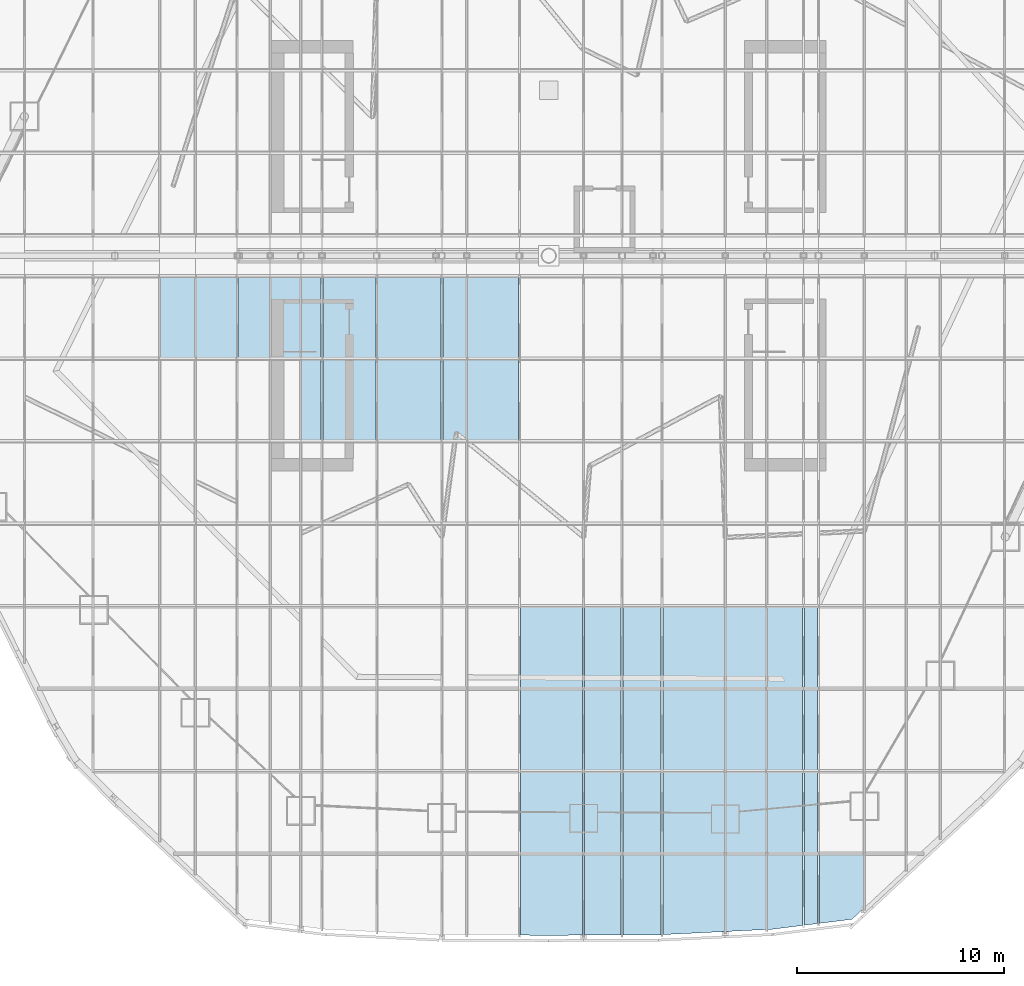
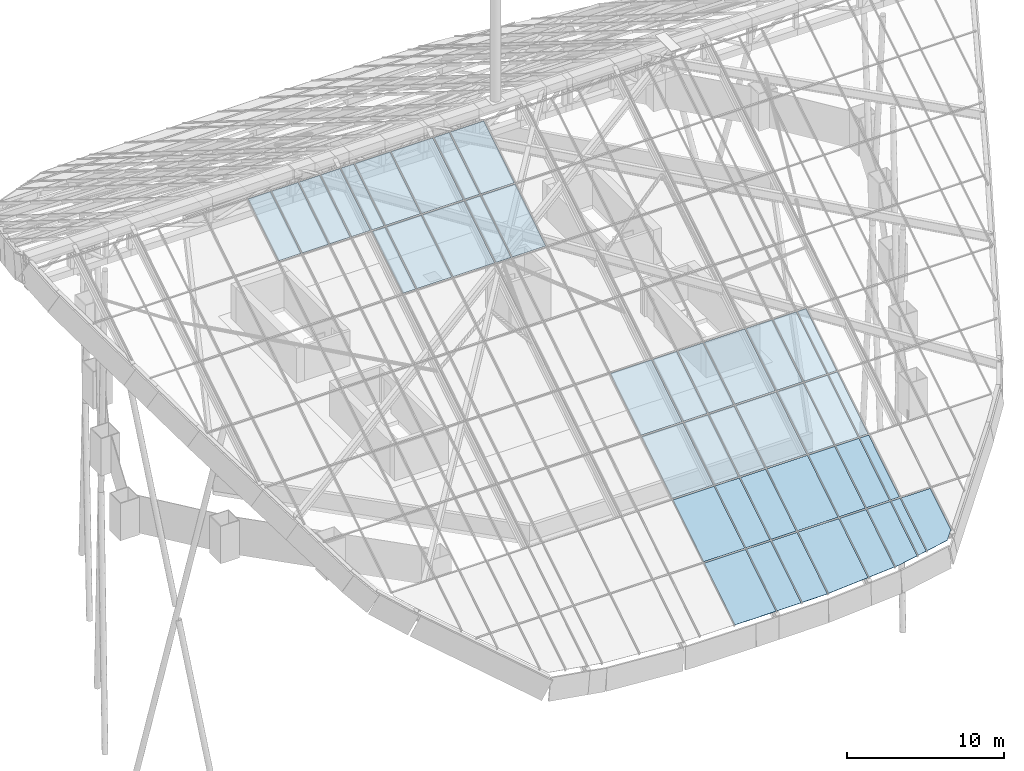
# One storey, part 28 of 38: 43 plates, 43 elements without a shape of their own.
"""IFC4 building model written with IfcOpenShell, lengths in metres."""

from ifc_helpers import new_model, si_unit, direction, frame, origin, place, context, subcontext, project, spatial, polyline, outline, extrude, material, layer, layer_set, type_object, element, aggregate, save


model = new_model("IFC4")

# Units and contexts
model_context = context("Model", 3, precision=1e-05, world=origin(), true_north=direction((0.0, 1.0)))
body_context = subcontext(model_context, "Body", "Model", "MODEL_VIEW")
ifc_project = project(units=[si_unit("LENGTHUNIT", "METRE"), si_unit("AREAUNIT", "SQUARE_METRE"), si_unit("VOLUMEUNIT", "CUBIC_METRE"), si_unit("PLANEANGLEUNIT", "RADIAN"), si_unit("MASSUNIT", "GRAM", prefix="KILO")], contexts=[model_context])

# Site, building, storey
site_placement = place(None, origin())
site = spatial("IfcSite", under=ifc_project, at=site_placement, CompositionType="ELEMENT")
building_placement = place(site_placement, origin())
building = spatial("IfcBuilding", under=site, at=building_placement, Name="Dongbaek Canopy Tower", CompositionType="ELEMENT")
storey_placement = place(building_placement, frame((0.0, 0.0, 375.800048828125)))
storey = spatial("IfcBuildingStorey", under=building, at=storey_placement, Name="Roof", CompositionType="ELEMENT", Elevation=375.800048828125)

# Curtain wall, plate
ifc_material_1 = material(Name="Aluminium 6063-T6 pale anodised", Category="aluminium")
ifc_layer_1 = layer(ifc_material_1, 0.199951171875)
ifc_layer_set_1 = layer_set([ifc_layer_1], Name="CW-6 canopy glazing curtain wall")
curtain_wall_type = type_object("IfcCurtainWallType", Name="CW-6 canopy glazing curtain wall", PredefinedType="NOTDEFINED", material=ifc_layer_set_1)
curtain_wall_1_placement = place(storey_placement, origin())
curtain_wall_1 = element("IfcCurtainWall", 1, at=curtain_wall_1_placement, inside=storey, type_object=curtain_wall_type, Name="CW-6 canopy glazing south 7.1", PredefinedType="NOTDEFINED")
ifc_material_2 = material(Name="Clear laminated glass", Category="glass")
ifc_layer_2 = layer(ifc_material_2, 0.0400390625)
ifc_layer_set_2 = layer_set([ifc_layer_2], Name="CW-6 glazed panel 40")
plate_type = type_object("IfcPlateType", Name="CW-6 glazed panel 40", PredefinedType="CURTAIN_PANEL", material=ifc_layer_set_2)
plate_1_placement = place(storey_placement, frame((-18.762939453125, -1.04296875, 18.095458984375), z_axis=(0.0, -0.52990827259, 0.848054964398), x_axis=(1.0, 0.0, 0.0)))
plate_1 = element("IfcPlate", 2, at=plate_1_placement, type_object=plate_type, Name="CW-6 panel S7.1", PredefinedType="CURTAIN_PANEL", context=body_context, shape_type="SweptSolid", body=[
    extrude(outline(polyline([(0.0, 0.0), (1.635986328125, 0.0), (1.635986328125, -4.59893125811938), (0.0, -4.59893125811938), (0.0, 0.0)])), origin(), (0.0, 0.0, -1.0), 0.0400390625),
])
aggregate(curtain_wall_1, [plate_1])

curtain_wall_2_placement = place(storey_placement, origin())
curtain_wall_2 = element("IfcCurtainWall", 3, at=curtain_wall_2_placement, inside=storey, type_object=curtain_wall_type, Name="CW-6 canopy glazing south 8.1", PredefinedType="NOTDEFINED")
plate_2_placement = place(storey_placement, frame((-17.041015625, -1.04296875, 18.095458984375), z_axis=(0.0, -0.52990827259, 0.848054964398), x_axis=(1.0, 0.0, 0.0)))
plate_2 = element("IfcPlate", 4, at=plate_2_placement, type_object=plate_type, Name="CW-6 panel S8.1", PredefinedType="CURTAIN_PANEL", context=body_context, shape_type="SweptSolid", body=[
    extrude(outline(polyline([(0.0, 0.0), (1.93603515625, 0.0), (1.93603515625, -4.59893125811938), (0.0, -4.59893125811938), (0.0, 0.0)])), origin(), (0.0, 0.0, -1.0), 0.0400390625),
])
aggregate(curtain_wall_2, [plate_2])

curtain_wall_3_placement = place(storey_placement, origin())
curtain_wall_3 = element("IfcCurtainWall", 5, at=curtain_wall_3_placement, inside=storey, type_object=curtain_wall_type, Name="CW-6 canopy glazing south 9.1", PredefinedType="NOTDEFINED")
plate_3_placement = place(storey_placement, frame((-15.01904296875, -1.04296875, 18.095458984375), z_axis=(0.0, -0.52990827259, 0.848054964398), x_axis=(1.0, 0.0, 0.0)))
plate_3 = element("IfcPlate", 6, at=plate_3_placement, type_object=plate_type, Name="CW-6 panel S9.1", PredefinedType="CURTAIN_PANEL", context=body_context, shape_type="SweptSolid", body=[
    extrude(outline(polyline([(0.0, 0.0), (1.51123046875, 0.0), (1.51123046875, -4.59893125811938), (0.0, -4.59893125811938), (0.0, 0.0)])), origin(), (0.0, 0.0, -1.0), 0.0400390625),
])
aggregate(curtain_wall_3, [plate_3])

curtain_wall_4_placement = place(storey_placement, origin())
curtain_wall_4 = element("IfcCurtainWall", 7, at=curtain_wall_4_placement, inside=storey, type_object=curtain_wall_type, Name="CW-6 canopy glazing south 10.1", PredefinedType="NOTDEFINED")
plate_4_placement = place(storey_placement, frame((-13.421630859375, -1.04296875, 18.095458984375), z_axis=(0.0, -0.52990827259, 0.848054964398), x_axis=(1.0, 0.0, 0.0)))
plate_4 = element("IfcPlate", 8, at=plate_4_placement, type_object=plate_type, Name="CW-6 panel S10.1", PredefinedType="CURTAIN_PANEL", context=body_context, shape_type="SweptSolid", body=[
    extrude(outline(polyline([(0.0, 0.0), (1.3935546875, 0.0), (1.3935546875, -4.59893125811938), (0.0, -4.59893125811938), (0.0, 0.0)])), origin(), (0.0, 0.0, -1.0), 0.0400390625),
])
aggregate(curtain_wall_4, [plate_4])

curtain_wall_5_placement = place(storey_placement, origin())
curtain_wall_5 = element("IfcCurtainWall", 9, at=curtain_wall_5_placement, inside=storey, type_object=curtain_wall_type, Name="CW-6 canopy glazing south 11.1", PredefinedType="NOTDEFINED")
plate_5_placement = place(storey_placement, frame((-11.94189453125, -1.04296875, 18.095458984375), z_axis=(0.0, -0.52990827259, 0.848054964398), x_axis=(1.0, 0.0, 0.0)))
plate_5 = element("IfcPlate", 10, at=plate_5_placement, type_object=plate_type, Name="CW-6 panel S11.1", PredefinedType="CURTAIN_PANEL", context=body_context, shape_type="SweptSolid", body=[
    extrude(outline(polyline([(0.0, 0.0), (0.93408203125, 0.0), (0.93408203125, -4.5989312581193795), (0.0, -4.5989312581193795), (0.0, 0.0)])), origin(), (0.0, 0.0, -1.0), 0.0400390625),
])
aggregate(curtain_wall_5, [plate_5])

curtain_wall_6_placement = place(storey_placement, origin())
curtain_wall_6 = element("IfcCurtainWall", 11, at=curtain_wall_6_placement, inside=storey, type_object=curtain_wall_type, Name="CW-6 canopy glazing south 11.2", PredefinedType="NOTDEFINED")
plate_6_placement = place(storey_placement, frame((-11.94189453125, -5.029296875, 15.6044921875), z_axis=(0.0, -0.52990827259, 0.848054964398), x_axis=(1.0, 0.0, 0.0)))
plate_6 = element("IfcPlate", 12, at=plate_6_placement, type_object=plate_type, Name="CW-6 panel S11.2", PredefinedType="CURTAIN_PANEL", context=body_context, shape_type="SweptSolid", body=[
    extrude(outline(polyline([(0.0, 0.0), (0.93408203125, 0.0), (0.93408203125, -4.5989312581193795), (0.0, -4.5989312581193795), (0.0, 0.0)])), origin(), (0.0, 0.0, -1.0), 0.0400390625),
])
aggregate(curtain_wall_6, [plate_6])

curtain_wall_7_placement = place(storey_placement, origin())
curtain_wall_7 = element("IfcCurtainWall", 13, at=curtain_wall_7_placement, inside=storey, type_object=curtain_wall_type, Name="CW-6 canopy glazing south 12.1", PredefinedType="NOTDEFINED")
plate_7_placement = place(storey_placement, frame((-10.921630859375, -1.04296875, 18.095458984375), z_axis=(0.0, -0.52990827259, 0.848054964398), x_axis=(1.0, 0.0, 0.0)))
plate_7 = element("IfcPlate", 14, at=plate_7_placement, type_object=plate_type, Name="CW-6 panel S12.1", PredefinedType="CURTAIN_PANEL", context=body_context, shape_type="SweptSolid", body=[
    extrude(outline(polyline([(0.0, 0.0), (2.569580078125, 0.0), (2.569580078125, -4.5989312581193795), (0.0, -4.5989312581193795), (0.0, 0.0)])), origin(), (0.0, 0.0, -1.0), 0.0400390625),
])
aggregate(curtain_wall_7, [plate_7])

curtain_wall_8_placement = place(storey_placement, origin())
curtain_wall_8 = element("IfcCurtainWall", 15, at=curtain_wall_8_placement, inside=storey, type_object=curtain_wall_type, Name="CW-6 canopy glazing south 12.2", PredefinedType="NOTDEFINED")
plate_8_placement = place(storey_placement, frame((-10.921630859375, -5.029296875, 15.6044921875), z_axis=(0.0, -0.52990827259, 0.848054964398), x_axis=(1.0, 0.0, 0.0)))
plate_8 = element("IfcPlate", 16, at=plate_8_placement, type_object=plate_type, Name="CW-6 panel S12.2", PredefinedType="CURTAIN_PANEL", context=body_context, shape_type="SweptSolid", body=[
    extrude(outline(polyline([(0.0, 0.0), (2.569580078125, 0.0), (2.569580078125, -4.5989312581193795), (0.0, -4.5989312581193795), (0.0, 0.0)])), origin(), (0.0, 0.0, -1.0), 0.0400390625),
])
aggregate(curtain_wall_8, [plate_8])

curtain_wall_9_placement = place(storey_placement, origin())
curtain_wall_9 = element("IfcCurtainWall", 17, at=curtain_wall_9_placement, inside=storey, type_object=curtain_wall_type, Name="CW-6 canopy glazing south 13.1", PredefinedType="NOTDEFINED")
plate_9_placement = place(storey_placement, frame((-5.208984375, -4.943115234375, 15.658447265625), z_axis=(0.0, -0.52990827259, 0.848054964398), x_axis=(-1.0, 0.0, 0.0)))
plate_9 = element("IfcPlate", 18, at=plate_9_placement, type_object=plate_type, Name="CW-6 panel S13.1", PredefinedType="CURTAIN_PANEL", context=body_context, shape_type="SweptSolid", body=[
    extrude(outline(polyline([(0.0, 0.0), (3.05712890625, 0.0), (3.05712890625, -4.59893125811938), (0.0, -4.59893125811938), (0.0, 0.0)])), origin(), (0.0, 0.0, -1.0), 0.0400390625),
])
aggregate(curtain_wall_9, [plate_9])

curtain_wall_10_placement = place(storey_placement, origin())
curtain_wall_10 = element("IfcCurtainWall", 19, at=curtain_wall_10_placement, inside=storey, type_object=curtain_wall_type, Name="CW-6 canopy glazing south 13.2", PredefinedType="NOTDEFINED")
plate_10_placement = place(storey_placement, frame((-5.208984375, -8.929443359375, 13.16748046875), z_axis=(0.0, -0.52990827259, 0.848054964398), x_axis=(-1.0, 0.0, 0.0)))
plate_10 = element("IfcPlate", 20, at=plate_10_placement, type_object=plate_type, Name="CW-6 panel S13.2", PredefinedType="CURTAIN_PANEL", context=body_context, shape_type="SweptSolid", body=[
    extrude(outline(polyline([(0.0, 0.0), (3.05712890625, 0.0), (3.05712890625, -4.59893125811938), (0.0, -4.59893125811938), (0.0, 0.0)])), origin(), (0.0, 0.0, -1.0), 0.0400390625),
])
aggregate(curtain_wall_10, [plate_10])

curtain_wall_11_placement = place(storey_placement, origin())
curtain_wall_11 = element("IfcCurtainWall", 21, at=curtain_wall_11_placement, inside=storey, type_object=curtain_wall_type, Name="CW-6 canopy glazing south 14.1", PredefinedType="NOTDEFINED")
plate_11_placement = place(storey_placement, frame((-4.0078125, -4.943115234375, 15.658447265625), z_axis=(0.0, -0.52990827259, 0.848054964398), x_axis=(-1.0, 0.0, 0.0)))
plate_11 = element("IfcPlate", 22, at=plate_11_placement, type_object=plate_type, Name="CW-6 panel S14.1", PredefinedType="CURTAIN_PANEL", context=body_context, shape_type="SweptSolid", body=[
    extrude(outline(polyline([(0.0, 0.0), (1.115234375, 0.0), (1.115234375, -4.5989312581193795), (0.0, -4.5989312581193795), (0.0, 0.0)])), origin(), (0.0, 0.0, -1.0), 0.0400390625),
])
aggregate(curtain_wall_11, [plate_11])

curtain_wall_12_placement = place(storey_placement, origin())
curtain_wall_12 = element("IfcCurtainWall", 23, at=curtain_wall_12_placement, inside=storey, type_object=curtain_wall_type, Name="CW-6 canopy glazing south 14.2", PredefinedType="NOTDEFINED")
plate_12_placement = place(storey_placement, frame((-4.0078125, -8.929443359375, 13.16748046875), z_axis=(0.0, -0.52990827259, 0.848054964398), x_axis=(-1.0, 0.0, 0.0)))
plate_12 = element("IfcPlate", 24, at=plate_12_placement, type_object=plate_type, Name="CW-6 panel S14.2", PredefinedType="CURTAIN_PANEL", context=body_context, shape_type="SweptSolid", body=[
    extrude(outline(polyline([(0.0, 0.0), (1.115234375, 0.0), (1.115234375, -4.5989312581193795), (0.0, -4.5989312581193795), (0.0, 0.0)])), origin(), (0.0, 0.0, -1.0), 0.0400390625),
])
aggregate(curtain_wall_12, [plate_12])

curtain_wall_13_placement = place(storey_placement, origin())
curtain_wall_13 = element("IfcCurtainWall", 25, at=curtain_wall_13_placement, inside=storey, type_object=curtain_wall_type, Name="CW-6 canopy glazing south 15.1", PredefinedType="NOTDEFINED")
plate_13_placement = place(storey_placement, frame((-1.4609375, -4.943115234375, 15.658447265625), z_axis=(0.0, -0.52990827259, 0.848054964398), x_axis=(-1.0, 0.0, 0.0)))
plate_13 = element("IfcPlate", 26, at=plate_13_placement, type_object=plate_type, Name="CW-6 panel S15.1", PredefinedType="CURTAIN_PANEL", context=body_context, shape_type="SweptSolid", body=[
    extrude(outline(polyline([(0.0, 0.0), (2.460693359375, 0.0), (2.460693359375, -4.59893125811938), (0.0, -4.59893125811938), (0.0, 0.0)])), origin(), (0.0, 0.0, -1.0), 0.0400390625),
])
aggregate(curtain_wall_13, [plate_13])

curtain_wall_14_placement = place(storey_placement, origin())
curtain_wall_14 = element("IfcCurtainWall", 27, at=curtain_wall_14_placement, inside=storey, type_object=curtain_wall_type, Name="CW-6 canopy glazing south 15.2", PredefinedType="NOTDEFINED")
plate_14_placement = place(storey_placement, frame((-1.4609375, -8.929443359375, 13.16748046875), z_axis=(0.0, -0.52990827259, 0.848054964398), x_axis=(-1.0, 0.0, 0.0)))
plate_14 = element("IfcPlate", 28, at=plate_14_placement, type_object=plate_type, Name="CW-6 panel S15.2", PredefinedType="CURTAIN_PANEL", context=body_context, shape_type="SweptSolid", body=[
    extrude(outline(polyline([(0.0, 0.0), (2.460693359375, 0.0), (2.460693359375, -4.59893125811938), (0.0, -4.59893125811938), (0.0, 0.0)])), origin(), (0.0, 0.0, -1.0), 0.0400390625),
])
aggregate(curtain_wall_14, [plate_14])

curtain_wall_15_placement = place(storey_placement, origin())
curtain_wall_15 = element("IfcCurtainWall", 29, at=curtain_wall_15_placement, inside=storey, type_object=curtain_wall_type, Name="CW-6 canopy glazing south 16.5", PredefinedType="NOTDEFINED")
plate_15_placement = place(storey_placement, frame((1.639892578125, -20.887939453125, 5.69482421875), z_axis=(0.0, -0.529946450558, 0.848031107649), x_axis=(-1.0, 0.0, 0.0)))
plate_15 = element("IfcPlate", 30, at=plate_15_placement, type_object=plate_type, Name="CW-6 panel S16.5", PredefinedType="CURTAIN_PANEL", context=body_context, shape_type="SweptSolid", body=[
    extrude(outline(polyline([(0.0, 0.0), (3.014892578125, 0.0), (3.014892578125, -4.599060634916705), (0.0, -4.599060634916705), (0.0, 0.0)])), origin(), (0.0, 0.0, -1.0), 0.0400390625),
])
aggregate(curtain_wall_15, [plate_15])

curtain_wall_16_placement = place(storey_placement, origin())
curtain_wall_16 = element("IfcCurtainWall", 31, at=curtain_wall_16_placement, inside=storey, type_object=curtain_wall_type, Name="CW-6 canopy glazing south 16.6", PredefinedType="NOTDEFINED")
plate_16_placement = place(storey_placement, frame((1.639892578125, -24.874267578125, 3.2041015625), z_axis=(0.0, -0.52990827259, 0.848054964398), x_axis=(-1.0, 0.0, 0.0)))
plate_16 = element("IfcPlate", 32, at=plate_16_placement, type_object=plate_type, Name="CW-6 panel S16.6", PredefinedType="CURTAIN_PANEL", context=body_context, shape_type="SweptSolid", body=[
    extrude(outline(polyline([(0.0, 0.0), (3.014892578125, 0.0), (3.014892578125, -4.59893125811938), (0.0, -4.59893125811938), (0.0, 0.0)])), origin(), (0.0, 0.0, -1.0), 0.0400390625),
])
aggregate(curtain_wall_16, [plate_16])

curtain_wall_17_placement = place(storey_placement, origin())
curtain_wall_17 = element("IfcCurtainWall", 33, at=curtain_wall_17_placement, inside=storey, type_object=curtain_wall_type, Name="CW-6 canopy glazing south 16.7", PredefinedType="NOTDEFINED")
plate_17_placement = place(storey_placement, frame((1.639892578125, -28.8603515625, 0.713134765625), z_axis=(0.0, -0.529946450558, 0.848031107649), x_axis=(-1.0, 0.0, 0.0)))
plate_17 = element("IfcPlate", 34, at=plate_17_placement, type_object=plate_type, Name="CW-6 panel S16.7", PredefinedType="CURTAIN_PANEL", context=body_context, shape_type="SweptSolid", body=[
    extrude(outline(polyline([(0.0, 0.0), (3.014892578125, 0.0), (3.014892578125, -4.599060634916705), (0.0, -4.599060634916705), (0.0, 0.0)])), origin(), (0.0, 0.0, -1.0), 0.0400390625),
])
aggregate(curtain_wall_17, [plate_17])

curtain_wall_18_placement = place(storey_placement, origin())
curtain_wall_18 = element("IfcCurtainWall", 35, at=curtain_wall_18_placement, inside=storey, type_object=curtain_wall_type, Name="CW-6 canopy glazing south 16.8", PredefinedType="NOTDEFINED")
plate_18_placement = place(storey_placement, frame((1.639892578125, -32.839599609375, -1.773193359375), z_axis=(-1.7203463e-05, -0.529914940365, 0.84805079782), x_axis=(-0.999987089654, -0.004300135945, -0.002707278302)))
plate_18 = element("IfcPlate", 36, at=plate_18_placement, type_object=plate_type, Name="CW-6 panel S16.8", PredefinedType="CURTAIN_PANEL", context=body_context, shape_type="SweptSolid", body=[
    extrude(outline(polyline([(0.0, 0.0), (1.6399137490622586, 1.3010426069826053e-18), (3.0148598370405826, -0.014103477191791648), (2.9915271682999562, -4.6058587561591295), (-0.02332648651926767, -4.59053899877738), (0.0, 0.0)])), origin(), (0.0, 0.0, -1.0), 0.0400390625),
])
aggregate(curtain_wall_18, [plate_18])

curtain_wall_19_placement = place(storey_placement, origin())
curtain_wall_19 = element("IfcCurtainWall", 37, at=curtain_wall_19_placement, inside=storey, type_object=curtain_wall_type, Name="CW-6 canopy glazing south 17.5", PredefinedType="NOTDEFINED")
plate_19_placement = place(storey_placement, frame((3.4921875, -20.887939453125, 5.69482421875), z_axis=(0.0, -0.529946450558, 0.848031107649), x_axis=(-1.0, 0.0, 0.0)))
plate_19 = element("IfcPlate", 38, at=plate_19_placement, type_object=plate_type, Name="CW-6 panel S17.5", PredefinedType="CURTAIN_PANEL", context=body_context, shape_type="SweptSolid", body=[
    extrude(outline(polyline([(0.0, 0.0), (1.76611328125, 0.0), (1.76611328125, -4.599060634916704), (0.0, -4.599060634916704), (0.0, 0.0)])), origin(), (0.0, 0.0, -1.0), 0.0400390625),
])
aggregate(curtain_wall_19, [plate_19])

curtain_wall_20_placement = place(storey_placement, origin())
curtain_wall_20 = element("IfcCurtainWall", 39, at=curtain_wall_20_placement, inside=storey, type_object=curtain_wall_type, Name="CW-6 canopy glazing south 17.6", PredefinedType="NOTDEFINED")
plate_20_placement = place(storey_placement, frame((3.4921875, -24.874267578125, 3.2041015625), z_axis=(0.0, -0.52990827259, 0.848054964398), x_axis=(-1.0, 0.0, 0.0)))
plate_20 = element("IfcPlate", 40, at=plate_20_placement, type_object=plate_type, Name="CW-6 panel S17.6", PredefinedType="CURTAIN_PANEL", context=body_context, shape_type="SweptSolid", body=[
    extrude(outline(polyline([(0.0, 0.0), (1.76611328125, 0.0), (1.76611328125, -4.59893125811938), (0.0, -4.59893125811938), (0.0, 0.0)])), origin(), (0.0, 0.0, -1.0), 0.0400390625),
])
aggregate(curtain_wall_20, [plate_20])

curtain_wall_21_placement = place(storey_placement, origin())
curtain_wall_21 = element("IfcCurtainWall", 41, at=curtain_wall_21_placement, inside=storey, type_object=curtain_wall_type, Name="CW-6 canopy glazing south 17.7", PredefinedType="NOTDEFINED")
plate_21_placement = place(storey_placement, frame((3.4921875, -28.8603515625, 0.713134765625), z_axis=(0.0, -0.529946450558, 0.848031107649), x_axis=(-1.0, 0.0, 0.0)))
plate_21 = element("IfcPlate", 42, at=plate_21_placement, type_object=plate_type, Name="CW-6 panel S17.7", PredefinedType="CURTAIN_PANEL", context=body_context, shape_type="SweptSolid", body=[
    extrude(outline(polyline([(0.0, 0.0), (1.76611328125, 0.0), (1.76611328125, -4.599060634916704), (0.0, -4.599060634916704), (0.0, 0.0)])), origin(), (0.0, 0.0, -1.0), 0.0400390625),
])
aggregate(curtain_wall_21, [plate_21])

curtain_wall_22_placement = place(storey_placement, origin())
curtain_wall_22 = element("IfcCurtainWall", 43, at=curtain_wall_22_placement, inside=storey, type_object=curtain_wall_type, Name="CW-6 canopy glazing south 17.8", PredefinedType="NOTDEFINED")
plate_22_placement = place(storey_placement, frame((3.4921875, -32.831298828125, -1.76806640625), z_axis=(-2.35521e-07, -0.529922364394, 0.848046158953), x_axis=(-0.999986394512, -0.004423620054, -0.0027644848)))
plate_22 = element("IfcPlate", 44, at=plate_22_placement, type_object=plate_type, Name="CW-6 panel S17.8", PredefinedType="CURTAIN_PANEL", context=body_context, shape_type="SweptSolid", body=[
    extrude(outline(polyline([(0.0, 0.0), (1.7661373104098188, 4.336808689942018e-19), (1.7421937654373607, -4.589992353484531), (-0.02389548697984693, -4.58077960666844), (0.0, 0.0)])), origin(), (0.0, 0.0, -1.0), 0.0400390625),
])
aggregate(curtain_wall_22, [plate_22])

curtain_wall_23_placement = place(storey_placement, origin())
curtain_wall_23 = element("IfcCurtainWall", 45, at=curtain_wall_23_placement, inside=storey, type_object=curtain_wall_type, Name="CW-6 canopy glazing south 18.5", PredefinedType="NOTDEFINED")
plate_23_placement = place(storey_placement, frame((5.427978515625, -20.887939453125, 5.69482421875), z_axis=(0.0, -0.529946450558, 0.848031107649), x_axis=(-1.0, 0.0, 0.0)))
plate_23 = element("IfcPlate", 46, at=plate_23_placement, type_object=plate_type, Name="CW-6 panel S18.5", PredefinedType="CURTAIN_PANEL", context=body_context, shape_type="SweptSolid", body=[
    extrude(outline(polyline([(0.0, 0.0), (1.849609375, 0.0), (1.849609375, -4.599060634916705), (0.0, -4.599060634916705), (0.0, 0.0)])), origin(), (0.0, 0.0, -1.0), 0.0400390625),
])
aggregate(curtain_wall_23, [plate_23])

curtain_wall_24_placement = place(storey_placement, origin())
curtain_wall_24 = element("IfcCurtainWall", 47, at=curtain_wall_24_placement, inside=storey, type_object=curtain_wall_type, Name="CW-6 canopy glazing south 18.6", PredefinedType="NOTDEFINED")
plate_24_placement = place(storey_placement, frame((5.427978515625, -24.874267578125, 3.2041015625), z_axis=(0.0, -0.52990827259, 0.848054964398), x_axis=(-1.0, 0.0, 0.0)))
plate_24 = element("IfcPlate", 48, at=plate_24_placement, type_object=plate_type, Name="CW-6 panel S18.6", PredefinedType="CURTAIN_PANEL", context=body_context, shape_type="SweptSolid", body=[
    extrude(outline(polyline([(0.0, 0.0), (1.849609375, 0.0), (1.849609375, -4.59893125811938), (0.0, -4.59893125811938), (0.0, 0.0)])), origin(), (0.0, 0.0, -1.0), 0.0400390625),
])
aggregate(curtain_wall_24, [plate_24])

curtain_wall_25_placement = place(storey_placement, origin())
curtain_wall_25 = element("IfcCurtainWall", 49, at=curtain_wall_25_placement, inside=storey, type_object=curtain_wall_type, Name="CW-6 canopy glazing south 18.7", PredefinedType="NOTDEFINED")
plate_25_placement = place(storey_placement, frame((5.427978515625, -28.8603515625, 0.713134765625), z_axis=(0.0, -0.529946450558, 0.848031107649), x_axis=(-1.0, 0.0, 0.0)))
plate_25 = element("IfcPlate", 50, at=plate_25_placement, type_object=plate_type, Name="CW-6 panel S18.7", PredefinedType="CURTAIN_PANEL", context=body_context, shape_type="SweptSolid", body=[
    extrude(outline(polyline([(0.0, 0.0), (1.849609375, 0.0), (1.849609375, -4.599060634916705), (0.0, -4.599060634916705), (0.0, 0.0)])), origin(), (0.0, 0.0, -1.0), 0.0400390625),
])
aggregate(curtain_wall_25, [plate_25])

curtain_wall_26_placement = place(storey_placement, origin())
curtain_wall_26 = element("IfcCurtainWall", 51, at=curtain_wall_26_placement, inside=storey, type_object=curtain_wall_type, Name="CW-6 canopy glazing south 18.8", PredefinedType="NOTDEFINED")
plate_26_placement = place(storey_placement, frame((5.427978515625, -32.81787109375, -1.759765625), z_axis=(4.1560144e-05, -0.529915863087, 0.848050220401), x_axis=(-0.998230633016, -0.050447834907, -0.031474104628)))
plate_26 = element("IfcPlate", 52, at=plate_26_placement, type_object=plate_type, Name="CW-6 panel S18.8", PredefinedType="CURTAIN_PANEL", context=body_context, shape_type="SweptSolid", body=[
    extrude(outline(polyline([(0.0, 0.0), (0.11054716401142096, -6.505213034913027e-19), (1.8472553965491314, -0.09455712928342036), (1.5748943005010188, -4.66695805152423), (-0.27144243673715346, -4.556978567512029), (0.0, 0.0)])), origin(), (0.0, 0.0, -1.0), 0.0400390625),
])
aggregate(curtain_wall_26, [plate_26])

curtain_wall_27_placement = place(storey_placement, origin())
curtain_wall_27 = element("IfcCurtainWall", 53, at=curtain_wall_27_placement, inside=storey, type_object=curtain_wall_type, Name="CW-6 canopy glazing south 19.5", PredefinedType="NOTDEFINED")
plate_27_placement = place(storey_placement, frame((8.490966796875, -20.887939453125, 5.69482421875), z_axis=(0.0, -0.529946450558, 0.848031107649), x_axis=(-1.0, 0.0, 0.0)))
plate_27 = element("IfcPlate", 54, at=plate_27_placement, type_object=plate_type, Name="CW-6 panel S19.5", PredefinedType="CURTAIN_PANEL", context=body_context, shape_type="SweptSolid", body=[
    extrude(outline(polyline([(0.0, 0.0), (2.97705078125, 0.0), (2.97705078125, -4.599060634916705), (0.0, -4.599060634916705), (0.0, 0.0)])), origin(), (0.0, 0.0, -1.0), 0.0400390625),
])
aggregate(curtain_wall_27, [plate_27])

curtain_wall_28_placement = place(storey_placement, origin())
curtain_wall_28 = element("IfcCurtainWall", 55, at=curtain_wall_28_placement, inside=storey, type_object=curtain_wall_type, Name="CW-6 canopy glazing south 19.6", PredefinedType="NOTDEFINED")
plate_28_placement = place(storey_placement, frame((8.490966796875, -24.874267578125, 3.2041015625), z_axis=(0.0, -0.52990827259, 0.848054964398), x_axis=(-1.0, 0.0, 0.0)))
plate_28 = element("IfcPlate", 56, at=plate_28_placement, type_object=plate_type, Name="CW-6 panel S19.6", PredefinedType="CURTAIN_PANEL", context=body_context, shape_type="SweptSolid", body=[
    extrude(outline(polyline([(0.0, 0.0), (2.97705078125, 0.0), (2.97705078125, -4.59893125811938), (0.0, -4.59893125811938), (0.0, 0.0)])), origin(), (0.0, 0.0, -1.0), 0.0400390625),
])
aggregate(curtain_wall_28, [plate_28])

curtain_wall_29_placement = place(storey_placement, origin())
curtain_wall_29 = element("IfcCurtainWall", 57, at=curtain_wall_29_placement, inside=storey, type_object=curtain_wall_type, Name="CW-6 canopy glazing south 19.7", PredefinedType="NOTDEFINED")
plate_29_placement = place(storey_placement, frame((8.490966796875, -28.8603515625, 0.713134765625), z_axis=(0.0, -0.529946450558, 0.848031107649), x_axis=(-1.0, 0.0, 0.0)))
plate_29 = element("IfcPlate", 58, at=plate_29_placement, type_object=plate_type, Name="CW-6 panel S19.7", PredefinedType="CURTAIN_PANEL", context=body_context, shape_type="SweptSolid", body=[
    extrude(outline(polyline([(0.0, 0.0), (2.97705078125, 0.0), (2.97705078125, -4.599060634916705), (0.0, -4.599060634916705), (0.0, 0.0)])), origin(), (0.0, 0.0, -1.0), 0.0400390625),
])
aggregate(curtain_wall_29, [plate_29])

curtain_wall_30_placement = place(storey_placement, origin())
curtain_wall_30 = element("IfcCurtainWall", 59, at=curtain_wall_30_placement, inside=storey, type_object=curtain_wall_type, Name="CW-6 canopy glazing south 19.8", PredefinedType="NOTDEFINED")
plate_30_placement = place(storey_placement, frame((8.490966796875, -32.6669921875, -1.66552734375), z_axis=(1.9463563e-05, -0.529932714671, 0.848039691018), x_axis=(-0.99831681033, -0.049193278739, -0.030717544496)))
plate_30 = element("IfcPlate", 60, at=plate_30_placement, type_object=plate_type, Name="CW-6 panel S19.8", PredefinedType="CURTAIN_PANEL", context=body_context, shape_type="SweptSolid", body=[
    extrude(outline(polyline([(0.0, 0.0), (2.9820701720873, 6.938893903907228e-18), (2.717601473198811, -4.552437434279408), (-0.25443836692849364, -4.379780145178163), (0.0, 0.0)])), origin(), (0.0, 0.0, -1.0), 0.0400390625),
])
aggregate(curtain_wall_30, [plate_30])

curtain_wall_31_placement = place(storey_placement, origin())
curtain_wall_31 = element("IfcCurtainWall", 61, at=curtain_wall_31_placement, inside=storey, type_object=curtain_wall_type, Name="CW-6 canopy glazing south 20.5", PredefinedType="NOTDEFINED")
plate_31_placement = place(storey_placement, frame((10.4921875, -20.887939453125, 5.69482421875), z_axis=(0.0, -0.529946450558, 0.848031107649), x_axis=(-1.0, 0.0, 0.0)))
plate_31 = element("IfcPlate", 62, at=plate_31_placement, type_object=plate_type, Name="CW-6 panel S20.5", PredefinedType="CURTAIN_PANEL", context=body_context, shape_type="SweptSolid", body=[
    extrude(outline(polyline([(0.0, 0.0), (1.915283203125, 0.0), (1.915283203125, -4.599060634916705), (0.0, -4.599060634916705), (0.0, 0.0)])), origin(), (0.0, 0.0, -1.0), 0.0400390625),
])
aggregate(curtain_wall_31, [plate_31])

curtain_wall_32_placement = place(storey_placement, origin())
curtain_wall_32 = element("IfcCurtainWall", 63, at=curtain_wall_32_placement, inside=storey, type_object=curtain_wall_type, Name="CW-6 canopy glazing south 20.6", PredefinedType="NOTDEFINED")
plate_32_placement = place(storey_placement, frame((10.4921875, -24.874267578125, 3.2041015625), z_axis=(0.0, -0.52990827259, 0.848054964398), x_axis=(-1.0, 0.0, 0.0)))
plate_32 = element("IfcPlate", 64, at=plate_32_placement, type_object=plate_type, Name="CW-6 panel S20.6", PredefinedType="CURTAIN_PANEL", context=body_context, shape_type="SweptSolid", body=[
    extrude(outline(polyline([(0.0, 0.0), (1.915283203125, 0.0), (1.915283203125, -4.59893125811938), (0.0, -4.59893125811938), (0.0, 0.0)])), origin(), (0.0, 0.0, -1.0), 0.0400390625),
])
aggregate(curtain_wall_32, [plate_32])

curtain_wall_33_placement = place(storey_placement, origin())
curtain_wall_33 = element("IfcCurtainWall", 65, at=curtain_wall_33_placement, inside=storey, type_object=curtain_wall_type, Name="CW-6 canopy glazing south 20.7", PredefinedType="NOTDEFINED")
plate_33_placement = place(storey_placement, frame((10.4921875, -28.8603515625, 0.713134765625), z_axis=(0.0, -0.529946450558, 0.848031107649), x_axis=(-1.0, 0.0, 0.0)))
plate_33 = element("IfcPlate", 66, at=plate_33_placement, type_object=plate_type, Name="CW-6 panel S20.7", PredefinedType="CURTAIN_PANEL", context=body_context, shape_type="SweptSolid", body=[
    extrude(outline(polyline([(0.0, 0.0), (1.915283203125, 0.0), (1.915283203125, -4.599060634916705), (0.0, -4.599060634916705), (0.0, 0.0)])), origin(), (0.0, 0.0, -1.0), 0.0400390625),
])
aggregate(curtain_wall_33, [plate_33])

curtain_wall_34_placement = place(storey_placement, origin())
curtain_wall_34 = element("IfcCurtainWall", 67, at=curtain_wall_34_placement, inside=storey, type_object=curtain_wall_type, Name="CW-6 canopy glazing south 20.8", PredefinedType="NOTDEFINED")
plate_34_placement = place(storey_placement, frame((10.4921875, -32.568359375, -1.603759765625), z_axis=(-9.278967e-06, -0.529925389986, 0.848044268279), x_axis=(-0.998311732537, -0.049252409236, -0.030787738861)))
plate_34 = element("IfcPlate", 68, at=plate_34_placement, type_object=plate_type, Name="CW-6 panel S20.8", PredefinedType="CURTAIN_PANEL", context=body_context, shape_type="SweptSolid", body=[
    extrude(outline(polyline([(0.0, 0.0), (1.9185221818673124, 1.3877787807814457e-17), (1.6639877225324238, -4.374823357089062), (-0.24806197027759375, -4.263577143301625), (0.0, 0.0)])), origin(), (0.0, 0.0, -1.0), 0.0400390625),
])
aggregate(curtain_wall_34, [plate_34])

curtain_wall_35_placement = place(storey_placement, origin())
curtain_wall_35 = element("IfcCurtainWall", 69, at=curtain_wall_35_placement, inside=storey, type_object=curtain_wall_type, Name="CW-6 canopy glazing south 21.5", PredefinedType="NOTDEFINED")
plate_35_placement = place(storey_placement, frame((12.27099609375, -20.887939453125, 5.69482421875), z_axis=(0.0, -0.529946450558, 0.848031107649), x_axis=(-1.0, 0.0, 0.0)))
plate_35 = element("IfcPlate", 70, at=plate_35_placement, type_object=plate_type, Name="CW-6 panel S21.5", PredefinedType="CURTAIN_PANEL", context=body_context, shape_type="SweptSolid", body=[
    extrude(outline(polyline([(0.0, 0.0), (1.692626953125, 0.0), (1.692626953125, -4.599060634916705), (0.0, -4.599060634916705), (0.0, 0.0)])), origin(), (0.0, 0.0, -1.0), 0.0400390625),
])
aggregate(curtain_wall_35, [plate_35])

curtain_wall_36_placement = place(storey_placement, origin())
curtain_wall_36 = element("IfcCurtainWall", 71, at=curtain_wall_36_placement, inside=storey, type_object=curtain_wall_type, Name="CW-6 canopy glazing south 21.6", PredefinedType="NOTDEFINED")
plate_36_placement = place(storey_placement, frame((12.27099609375, -24.874267578125, 3.2041015625), z_axis=(0.0, -0.52990827259, 0.848054964398), x_axis=(-1.0, 0.0, 0.0)))
plate_36 = element("IfcPlate", 72, at=plate_36_placement, type_object=plate_type, Name="CW-6 panel S21.6", PredefinedType="CURTAIN_PANEL", context=body_context, shape_type="SweptSolid", body=[
    extrude(outline(polyline([(0.0, 0.0), (1.692626953125, 0.0), (1.692626953125, -4.59893125811938), (0.0, -4.59893125811938), (0.0, 0.0)])), origin(), (0.0, 0.0, -1.0), 0.0400390625),
])
aggregate(curtain_wall_36, [plate_36])

curtain_wall_37_placement = place(storey_placement, origin())
curtain_wall_37 = element("IfcCurtainWall", 73, at=curtain_wall_37_placement, inside=storey, type_object=curtain_wall_type, Name="CW-6 canopy glazing south 21.7", PredefinedType="NOTDEFINED")
plate_37_placement = place(storey_placement, frame((12.27099609375, -28.8603515625, 0.713134765625), z_axis=(0.0, -0.529946450558, 0.848031107649), x_axis=(-1.0, 0.0, 0.0)))
plate_37 = element("IfcPlate", 74, at=plate_37_placement, type_object=plate_type, Name="CW-6 panel S21.7", PredefinedType="CURTAIN_PANEL", context=body_context, shape_type="SweptSolid", body=[
    extrude(outline(polyline([(0.0, 0.0), (1.692626953125, 0.0), (1.692626953125, -4.599060634916705), (0.0, -4.599060634916705), (0.0, 0.0)])), origin(), (0.0, 0.0, -1.0), 0.0400390625),
])
aggregate(curtain_wall_37, [plate_37])

curtain_wall_38_placement = place(storey_placement, origin())
curtain_wall_38 = element("IfcCurtainWall", 75, at=curtain_wall_38_placement, inside=storey, type_object=curtain_wall_type, Name="CW-6 canopy glazing south 21.8", PredefinedType="NOTDEFINED")
plate_38_placement = place(storey_placement, frame((12.27099609375, -32.370361328125, -1.47998046875), z_axis=(9.327504e-06, -0.529916459275, 0.848049848831), x_axis=(-0.989350191303, -0.123442613621, -0.077124056629)))
plate_38 = element("IfcPlate", 76, at=plate_38_placement, type_object=plate_type, Name="CW-6 panel S21.8", PredefinedType="CURTAIN_PANEL", context=body_context, shape_type="SweptSolid", body=[
    extrude(outline(polyline([(0.0, 0.0), (1.4776507598495268, 3.469446951953614e-17), (1.707869102443243, -0.020242067553610243), (1.0869549693951202, -4.240656160383526), (-0.5876458304838837, -3.994286188104922), (0.0, 0.0)])), origin(), (0.0, 0.0, -1.0), 0.0400390625),
])
aggregate(curtain_wall_38, [plate_38])

curtain_wall_39_placement = place(storey_placement, origin())
curtain_wall_39 = element("IfcCurtainWall", 77, at=curtain_wall_39_placement, inside=storey, type_object=curtain_wall_type, Name="CW-6 canopy glazing south 22.5", PredefinedType="NOTDEFINED")
plate_39_placement = place(storey_placement, frame((12.9921875, -20.887939453125, 5.69482421875), z_axis=(0.0, -0.529946450558, 0.848031107649), x_axis=(-1.0, 0.0, 0.0)))
plate_39 = element("IfcPlate", 78, at=plate_39_placement, type_object=plate_type, Name="CW-6 panel S22.5", PredefinedType="CURTAIN_PANEL", context=body_context, shape_type="SweptSolid", body=[
    extrude(outline(polyline([(0.0, 0.0), (0.63525390625, 0.0), (0.63525390625, -4.599060634916705), (0.0, -4.599060634916705), (0.0, 0.0)])), origin(), (0.0, 0.0, -1.0), 0.0400390625),
])
aggregate(curtain_wall_39, [plate_39])

curtain_wall_40_placement = place(storey_placement, origin())
curtain_wall_40 = element("IfcCurtainWall", 79, at=curtain_wall_40_placement, inside=storey, type_object=curtain_wall_type, Name="CW-6 canopy glazing south 22.6", PredefinedType="NOTDEFINED")
plate_40_placement = place(storey_placement, frame((12.9921875, -24.874267578125, 3.2041015625), z_axis=(0.0, -0.52990827259, 0.848054964398), x_axis=(-1.0, 0.0, 0.0)))
plate_40 = element("IfcPlate", 80, at=plate_40_placement, type_object=plate_type, Name="CW-6 panel S22.6", PredefinedType="CURTAIN_PANEL", context=body_context, shape_type="SweptSolid", body=[
    extrude(outline(polyline([(0.0, 0.0), (0.63525390625, 0.0), (0.63525390625, -4.5989312581193795), (0.0, -4.5989312581193795), (0.0, 0.0)])), origin(), (0.0, 0.0, -1.0), 0.0400390625),
])
aggregate(curtain_wall_40, [plate_40])

curtain_wall_41_placement = place(storey_placement, origin())
curtain_wall_41 = element("IfcCurtainWall", 81, at=curtain_wall_41_placement, inside=storey, type_object=curtain_wall_type, Name="CW-6 canopy glazing south 22.7", PredefinedType="NOTDEFINED")
plate_41_placement = place(storey_placement, frame((12.9921875, -28.8603515625, 0.713134765625), z_axis=(0.0, -0.529946450558, 0.848031107649), x_axis=(-1.0, 0.0, 0.0)))
plate_41 = element("IfcPlate", 82, at=plate_41_placement, type_object=plate_type, Name="CW-6 panel S22.7", PredefinedType="CURTAIN_PANEL", context=body_context, shape_type="SweptSolid", body=[
    extrude(outline(polyline([(0.0, 0.0), (0.63525390625, 0.0), (0.63525390625, -4.599060634916705), (0.0, -4.599060634916705), (0.0, 0.0)])), origin(), (0.0, 0.0, -1.0), 0.0400390625),
])
aggregate(curtain_wall_41, [plate_41])

curtain_wall_42_placement = place(storey_placement, origin())
curtain_wall_42 = element("IfcCurtainWall", 83, at=curtain_wall_42_placement, inside=storey, type_object=curtain_wall_type, Name="CW-6 canopy glazing south 22.8", PredefinedType="NOTDEFINED")
plate_42_placement = place(storey_placement, frame((12.9921875, -32.2802734375, -1.423828125), z_axis=(1.4860009e-05, -0.529935495472, 0.848037953406), x_axis=(-0.98932944059, -0.123563334517, -0.077196893361)))
plate_42 = element("IfcPlate", 84, at=plate_42_placement, type_object=plate_type, Name="CW-6 panel S22.8", PredefinedType="CURTAIN_PANEL", context=body_context, shape_type="SweptSolid", body=[
    extrude(outline(polyline([(0.0, 0.0), (0.6421055316127733, -2.0816681711721685e-17), (0.0557267530590114, -3.981733881726551), (-0.5727486386439798, -3.8891800739143156), (0.0, 0.0)])), origin(), (0.0, 0.0, -1.0), 0.0400390625),
])
aggregate(curtain_wall_42, [plate_42])

curtain_wall_43_placement = place(storey_placement, origin())
curtain_wall_43 = element("IfcCurtainWall", 85, at=curtain_wall_43_placement, inside=storey, type_object=curtain_wall_type, Name="CW-6 canopy glazing south 23.8", PredefinedType="NOTDEFINED")
plate_43_placement = place(storey_placement, frame((15.208984375, -31.557861328125, -0.972412109375), z_axis=(1.8974071e-05, -0.529909270428, 0.848054340685), x_axis=(-0.67374645868, -0.626687206278, -0.391572285668)))
plate_43 = element("IfcPlate", 86, at=plate_43_placement, type_object=plate_type, Name="CW-6 panel S23.8", PredefinedType="CURTAIN_PANEL", context=body_context, shape_type="SweptSolid", body=[
    extrude(outline(polyline([(0.0, 0.0), (0.8214763769758899, 5.551115123125783e-17), (2.055574141456317, -1.00908956331458), (-0.8399731862426292, -3.649094328812367), (-2.2754676552132245, -2.0746493774497075), (0.0, 0.0)])), origin(), (0.0, 0.0, -1.0), 0.0400390625),
])
aggregate(curtain_wall_43, [plate_43])

save(model, "model.ifc")
